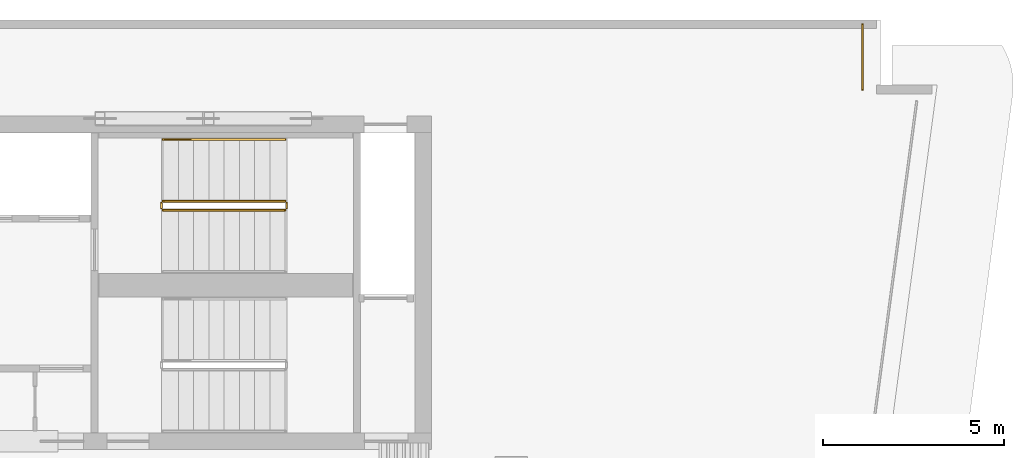
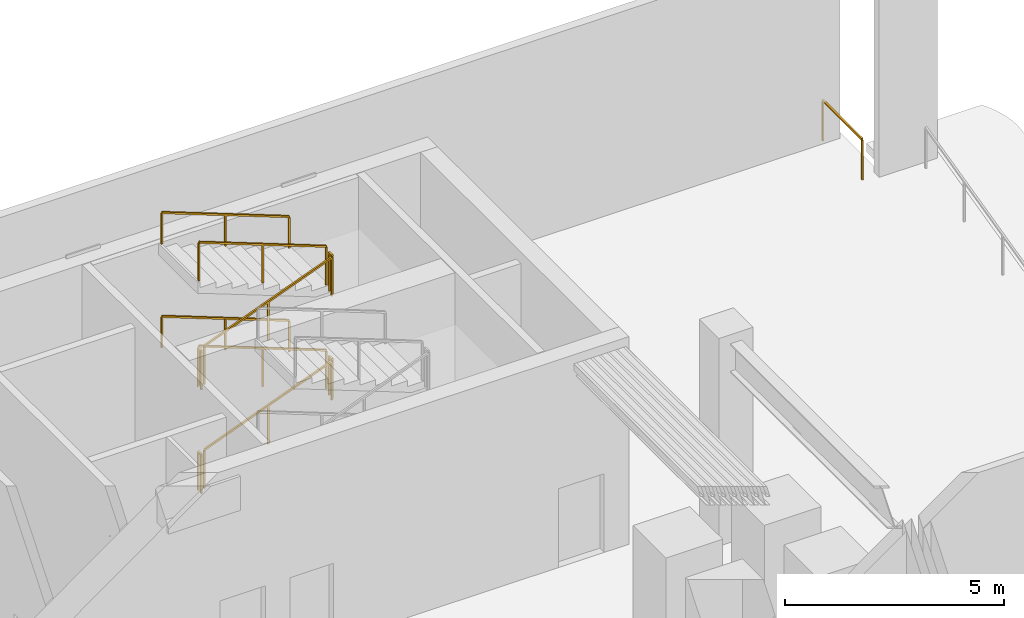
# One storey, part 7 of 8: 11 railings.
"""IFC4 building model written with IfcOpenShell, lengths in metres."""

from ifc_helpers import new_model, si_unit, direction, frame, origin, origin_2d, place, context, subcontext, project, spatial, rectangle, extrude, material, layer, layer_set, type_object, element, save


model = new_model("IFC4")

# Units and contexts
model_context = context("Model", 3, precision=1e-05, world=origin(), true_north=direction((0.0, 1.0)))
body_context = subcontext(model_context, "Body", "Model", "MODEL_VIEW")
ifc_project = project(units=[si_unit("LENGTHUNIT", "METRE"), si_unit("AREAUNIT", "SQUARE_METRE"), si_unit("VOLUMEUNIT", "CUBIC_METRE"), si_unit("PLANEANGLEUNIT", "RADIAN"), si_unit("MASSUNIT", "GRAM", prefix="KILO")], contexts=[model_context])

# Site, building, storey
site_placement = place(None, origin())
site = spatial("IfcSite", under=ifc_project, at=site_placement, CompositionType="ELEMENT")
building_placement = place(site_placement, origin())
building = spatial("IfcBuilding", under=site, at=building_placement, Name="Caeloran Harvest Quay", CompositionType="ELEMENT")
storey_placement = place(building_placement, frame((0.0, 0.0, 250.89990234375)))
storey = spatial("IfcBuildingStorey", under=building, at=storey_placement, Name="L60", CompositionType="ELEMENT", Elevation=250.89990234375)

# Railings
ifc_material_1 = material(Name="Laminated Safety Glass and Stainless Steel 316", Category="steel")
ifc_layer_1 = layer(ifc_material_1, 0.06005859375, Name="Laminated Safety Glass and Stainless Steel 316")
ifc_layer_set_1 = layer_set([ifc_layer_1], Name="Laminated Safety Glass and Stainless Steel 316")
railing_type_1 = type_object("IfcRailingType", Name="GUARD-BALUSTRADE-1150", PredefinedType="BALUSTRADE", material=ifc_layer_set_1)
railing_1_placement = place(storey_placement, frame((35.199951171875, 43.3798828125, 0.0)))
element("IfcRailing", 1, at=railing_1_placement, inside=storey, type_object=railing_type_1, Name="L60 Open Refuge and Wind-Slot Perimeter Balustrade 7", PredefinedType="BALUSTRADE", context=body_context, shape_type="SweptSolid", body=[
    extrude(rectangle(XDim=0.048095703125, YDim=0.048095703125, at=origin_2d()), frame((0.0, 0.0, 1.1259765625), z_axis=(0.0, -1.0, 0.0), x_axis=(1.0, 0.0, 0.0)), (0.0, 0.0, 1.0), 1.7998046875),
    extrude(rectangle(XDim=0.0419921875, YDim=0.0419921875, at=origin_2d()), origin(), (0.0, 0.0, 1.0), 1.101806640625),
    extrude(rectangle(XDim=0.0419921875, YDim=0.0419921875, at=origin_2d()), frame((0.0, -1.7998046875, 0.0)), (0.0, 0.0, 1.0), 1.101806640625),
])
ifc_material_2 = material(Name="Painted Steel Baluster and Top-Rail Stair Guard", Category="steel")
ifc_layer_2 = layer(ifc_material_2, 0.050048828125, Name="Painted Steel Baluster and Top-Rail Stair Guard")
ifc_layer_set_2 = layer_set([ifc_layer_2], Name="Painted Steel Baluster and Top-Rail Stair Guard")
railing_type_2 = type_object("IfcRailingType", Name="STAIR-GUARD-1100", PredefinedType="GUARDRAIL", material=ifc_layer_set_2)
railing_2_placement = place(storey_placement, frame((15.89990234375, 38.25, 0.1611328125)))
element("IfcRailing", 2, at=railing_2_placement, inside=storey, type_object=railing_type_2, Name="L60 ST-C1 stair guard 1", PredefinedType="GUARDRAIL", context=body_context, shape_type="SweptSolid", body=[
    extrude(rectangle(XDim=0.048095703125, YDim=0.048095703125, at=origin_2d()), frame((0.0, 0.0, 1.076171875), z_axis=(0.933651236505, 0.0, 0.358183428667), x_axis=(0.0, 1.0, 0.0)), (0.0, 0.0, 1.0), 3.598876953125),
    extrude(rectangle(XDim=0.0419921875, YDim=0.0419921875, at=origin_2d()), origin(), (0.0, 0.0, 1.0), 1.052001953125),
    extrude(rectangle(XDim=0.0419921875, YDim=0.0419921875, at=origin_2d()), frame((1.68017578125, 0.0, 0.64453125)), (0.0, 0.0, 1.0), 1.052001953125),
    extrude(rectangle(XDim=0.0419921875, YDim=0.0419921875, at=origin_2d()), frame((3.360107421875, 0.0, 1.2890625)), (0.0, 0.0, 1.0), 1.052001953125),
])
railing_3_placement = place(storey_placement, frame((19.31005859375, 38.300048828125, 1.4501953125)))
element("IfcRailing", 3, at=railing_3_placement, inside=storey, type_object=railing_type_2, Name="L60 ST-C1 stair guard 2", PredefinedType="GUARDRAIL", context=body_context, shape_type="SweptSolid", body=[
    extrude(rectangle(XDim=0.048095703125, YDim=0.048095703125, at=origin_2d()), frame((0.0, 0.0, 1.076171875), z_axis=(0.0, 1.0, 0.0), x_axis=(-1.0, 0.0, 0.0)), (0.0, 0.0, 1.0), 0.14990234375),
    extrude(rectangle(XDim=0.0419921875, YDim=0.0419921875, at=origin_2d()), origin(), (0.0, 0.0, 1.0), 1.052001953125),
    extrude(rectangle(XDim=0.0419921875, YDim=0.0419921875, at=origin_2d()), frame((0.0, 0.14990234375, 0.0)), (0.0, 0.0, 1.0), 1.052001953125),
])
railing_4_placement = place(storey_placement, frame((19.260009765625, 38.5, 1.611328125)))
element("IfcRailing", 4, at=railing_4_placement, inside=storey, type_object=railing_type_2, Name="L60 ST-C1 stair guard 3", PredefinedType="GUARDRAIL", context=body_context, shape_type="SweptSolid", body=[
    extrude(rectangle(XDim=0.048095703125, YDim=0.048095703125, at=origin_2d()), frame((0.0, 0.0, 1.076171875), z_axis=(-0.933673921383, 0.0, 0.358124292013), x_axis=(0.0, -1.0, 0.0)), (0.0, 0.0, 1.0), 3.598876953125),
    extrude(rectangle(XDim=0.0419921875, YDim=0.0419921875, at=origin_2d()), origin(), (0.0, 0.0, 1.0), 1.052001953125),
    extrude(rectangle(XDim=0.0419921875, YDim=0.0419921875, at=origin_2d()), frame((-1.68017578125, 0.0, 0.64453125)), (0.0, 0.0, 1.0), 1.052001953125),
    extrude(rectangle(XDim=0.0419921875, YDim=0.0419921875, at=origin_2d()), frame((-3.360107421875, 0.0, 1.288818359375)), (0.0, 0.0, 1.0), 1.052001953125),
])
railing_5_placement = place(storey_placement, frame((15.85009765625, 38.300048828125, 2.900146484375)))
element("IfcRailing", 5, at=railing_5_placement, inside=storey, type_object=railing_type_2, Name="L60 ST-C1 stair guard 4", PredefinedType="GUARDRAIL", context=body_context, shape_type="SweptSolid", body=[
    extrude(rectangle(XDim=0.048095703125, YDim=0.048095703125, at=origin_2d()), frame((0.0, 0.0, 1.076171875), z_axis=(0.0, 1.0, 0.0), x_axis=(-1.0, 0.0, 0.0)), (0.0, 0.0, 1.0), 0.14990234375),
    extrude(rectangle(XDim=0.0419921875, YDim=0.0419921875, at=origin_2d()), origin(), (0.0, 0.0, 1.0), 1.052001953125),
    extrude(rectangle(XDim=0.0419921875, YDim=0.0419921875, at=origin_2d()), frame((0.0, 0.14990234375, 0.0)), (0.0, 0.0, 1.0), 1.052001953125),
])
railing_6_placement = place(storey_placement, frame((15.89990234375, 38.25, 3.061279296875)))
element("IfcRailing", 6, at=railing_6_placement, inside=storey, type_object=railing_type_2, Name="L60 ST-C1 stair guard 5", PredefinedType="GUARDRAIL", context=body_context, shape_type="SweptSolid", body=[
    extrude(rectangle(XDim=0.048095703125, YDim=0.048095703125, at=origin_2d()), frame((0.0, 0.0, 1.076171875), z_axis=(0.933673921383, 0.0, 0.358124292013), x_axis=(0.0, 1.0, 0.0)), (0.0, 0.0, 1.0), 3.598876953125),
    extrude(rectangle(XDim=0.0419921875, YDim=0.0419921875, at=origin_2d()), origin(), (0.0, 0.0, 1.0), 1.052001953125),
    extrude(rectangle(XDim=0.0419921875, YDim=0.0419921875, at=origin_2d()), frame((1.68017578125, 0.0, 0.64453125)), (0.0, 0.0, 1.0), 1.052001953125),
    extrude(rectangle(XDim=0.0419921875, YDim=0.0419921875, at=origin_2d()), frame((3.360107421875, 0.0, 1.288818359375)), (0.0, 0.0, 1.0), 1.052001953125),
])
railing_7_placement = place(storey_placement, frame((19.31005859375, 38.300048828125, 4.35009765625)))
element("IfcRailing", 7, at=railing_7_placement, inside=storey, type_object=railing_type_2, Name="L60 ST-C1 stair guard 6", PredefinedType="GUARDRAIL", context=body_context, shape_type="SweptSolid", body=[
    extrude(rectangle(XDim=0.048095703125, YDim=0.048095703125, at=origin_2d()), frame((0.0, 0.0, 1.076171875), z_axis=(0.0, 1.0, 0.0), x_axis=(-1.0, 0.0, 0.0)), (0.0, 0.0, 1.0), 0.14990234375),
    extrude(rectangle(XDim=0.0419921875, YDim=0.0419921875, at=origin_2d()), origin(), (0.0, 0.0, 1.0), 1.052001953125),
    extrude(rectangle(XDim=0.0419921875, YDim=0.0419921875, at=origin_2d()), frame((0.0, 0.14990234375, 0.0)), (0.0, 0.0, 1.0), 1.052001953125),
])
railing_8_placement = place(storey_placement, frame((19.260009765625, 38.5, 4.51123046875)))
element("IfcRailing", 8, at=railing_8_placement, inside=storey, type_object=railing_type_2, Name="L60 ST-C1 stair guard 7", PredefinedType="GUARDRAIL", context=body_context, shape_type="SweptSolid", body=[
    extrude(rectangle(XDim=0.048095703125, YDim=0.048095703125, at=origin_2d()), frame((0.0, 0.0, 1.076171875), z_axis=(-0.933673921383, 0.0, 0.358124292013), x_axis=(0.0, -1.0, 0.0)), (0.0, 0.0, 1.0), 3.598876953125),
    extrude(rectangle(XDim=0.0419921875, YDim=0.0419921875, at=origin_2d()), origin(), (0.0, 0.0, 1.0), 1.052001953125),
    extrude(rectangle(XDim=0.0419921875, YDim=0.0419921875, at=origin_2d()), frame((-1.68017578125, 0.0, 0.64453125)), (0.0, 0.0, 1.0), 1.052001953125),
    extrude(rectangle(XDim=0.0419921875, YDim=0.0419921875, at=origin_2d()), frame((-3.360107421875, 0.0, 1.288818359375)), (0.0, 0.0, 1.0), 1.052001953125),
])
railing_9_placement = place(storey_placement, frame((15.85009765625, 38.300048828125, 0.0)))
element("IfcRailing", 9, at=railing_9_placement, inside=storey, type_object=railing_type_2, Name="L60 ST-C1 stair guard 8", PredefinedType="GUARDRAIL", context=body_context, shape_type="SweptSolid", body=[
    extrude(rectangle(XDim=0.048095703125, YDim=0.048095703125, at=origin_2d()), frame((0.0, 0.0, 1.076171875), z_axis=(0.0, 1.0, 0.0), x_axis=(-1.0, 0.0, 0.0)), (0.0, 0.0, 1.0), 0.14990234375),
    extrude(rectangle(XDim=0.0419921875, YDim=0.0419921875, at=origin_2d()), origin(), (0.0, 0.0, 1.0), 1.052001953125),
    extrude(rectangle(XDim=0.0419921875, YDim=0.0419921875, at=origin_2d()), frame((0.0, 0.14990234375, 0.0)), (0.0, 0.0, 1.0), 1.052001953125),
])
ifc_material_3 = material(Name="Brushed Stainless Steel Grade 304", Category="steel")
ifc_layer_3 = layer(ifc_material_3, 0.050048828125, Name="Brushed Stainless Steel Grade 304")
ifc_layer_set_3 = layer_set([ifc_layer_3], Name="Brushed Stainless Steel Grade 304")
railing_type_3 = type_object("IfcRailingType", Name="STAIR-HANDRAIL-900", PredefinedType="HANDRAIL", material=ifc_layer_set_3)
for number, where, name in (
    (10, (19.260009765625, 40.199951171875, 1.611328125), "L60 ST-C1 stair handrail 2"),
    (11, (19.260009765625, 40.199951171875, 4.51123046875), "L60 ST-C1 stair handrail 4"),
):
    element("IfcRailing", number, at=place(storey_placement, frame(where)), inside=storey, type_object=railing_type_3, Name=name, PredefinedType="HANDRAIL", context=body_context, shape_type="SweptSolid", body=[
        extrude(rectangle(XDim=0.048095703125, YDim=0.048095703125, at=origin_2d()), frame((0.0, 0.0, 0.8759765625), z_axis=(-0.933673921383, 0.0, 0.358124292013), x_axis=(0.0, -1.0, 0.0)), (0.0, 0.0, 1.0), 3.598876953125),
        extrude(rectangle(XDim=0.0419921875, YDim=0.0419921875, at=origin_2d()), origin(), (0.0, 0.0, 1.0), 0.851806640625),
        extrude(rectangle(XDim=0.0419921875, YDim=0.0419921875, at=origin_2d()), frame((-1.68017578125, 0.0, 0.64453125)), (0.0, 0.0, 1.0), 0.851806640625),
        extrude(rectangle(XDim=0.0419921875, YDim=0.0419921875, at=origin_2d()), frame((-3.360107421875, 0.0, 1.288818359375)), (0.0, 0.0, 1.0), 0.851806640625),
    ])

save(model, "model.ifc")
